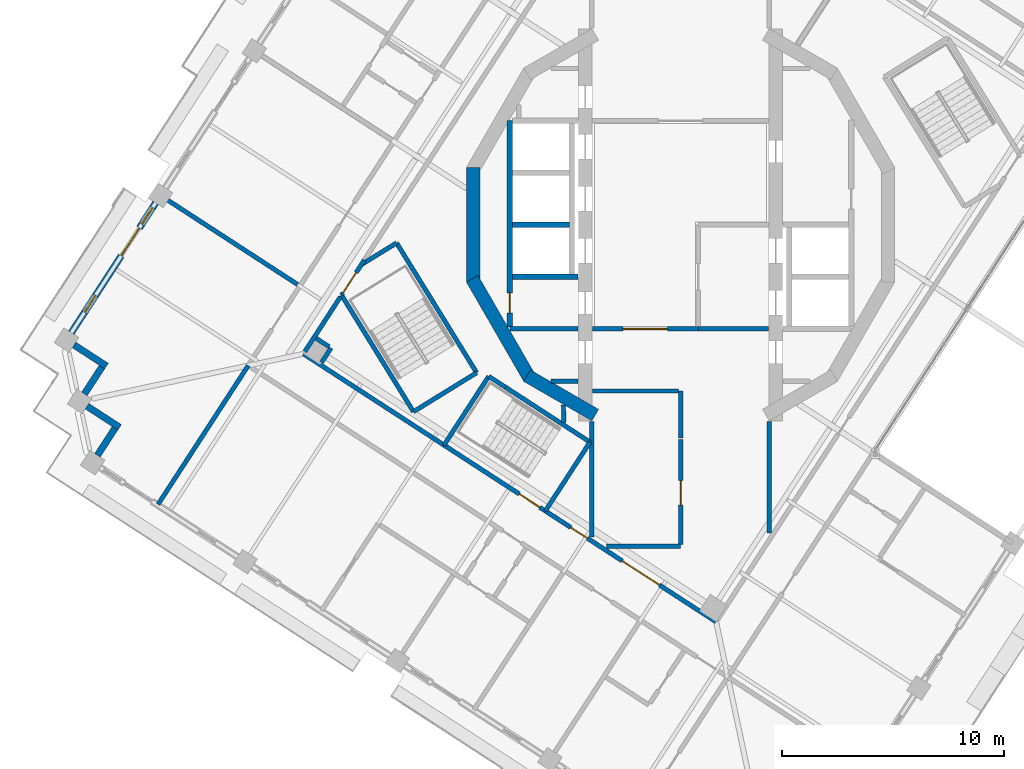
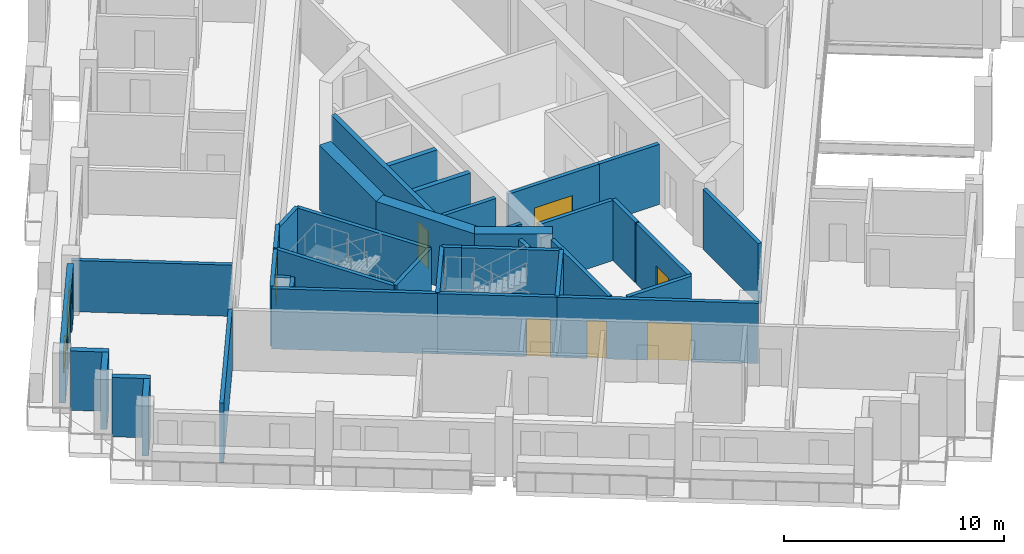
# One storey, part 6 of 17: 39 walls, 8 doors, 2 windows, 10 openings.
"""IFC4 building model written with IfcOpenShell, lengths in metres."""

from ifc_helpers import new_model, si_unit, direction, frame, frame_2d, origin, place, context, subcontext, project, spatial, rectangle, extrude, material, layer, layer_set, type_object, element, fill, save


model = new_model("IFC4")

# Units and contexts
model_context = context("Model", 3, precision=1e-05, world=origin(), true_north=direction((0.0, 1.0)))
body_context = subcontext(model_context, "Body", "Model", "MODEL_VIEW")
ifc_project = project(units=[si_unit("LENGTHUNIT", "METRE"), si_unit("AREAUNIT", "SQUARE_METRE"), si_unit("VOLUMEUNIT", "CUBIC_METRE"), si_unit("PLANEANGLEUNIT", "RADIAN"), si_unit("MASSUNIT", "GRAM", prefix="KILO")], contexts=[model_context])

# Site, building, storey
site_placement = place(None, origin())
site = spatial("IfcSite", under=ifc_project, at=site_placement, CompositionType="ELEMENT")
building_placement = place(site_placement, origin())
building = spatial("IfcBuilding", under=site, at=building_placement, Name="Cantera Rosa Tower", CompositionType="ELEMENT")
storey_placement = place(building_placement, frame((0.0, 0.0, 264.89990234375)))
storey = spatial("IfcBuildingStorey", under=building, at=storey_placement, Name="L59", CompositionType="ELEMENT", Elevation=264.89990234375)

# Walls
ifc_material_1 = material(Name="Gypsum board partition")
ifc_layer_1 = layer(ifc_material_1, 0.199951171875)
ifc_layer_set_1 = layer_set([ifc_layer_1], Name="CORRIDOR WALL 200 H3350")
wall_type_1 = type_object("IfcWallType", Name="CORRIDOR WALL 200 H3350", PredefinedType="PARTITIONING", material=ifc_layer_set_1)
wall_1_placement = place(storey_placement, frame((-17.015869140625, -5.82177734375, 0.0), z_axis=(0.0, 0.0, 1.0), x_axis=(0.838672854678, -0.544635513739, 0.0)))
element("IfcWall", 1, at=wall_1_placement, inside=storey, type_object=wall_type_1, Name="CORRIDOR WALL L59-005", PredefinedType="PARTITIONING", context=body_context, shape_type="SweptSolid", body=[
    extrude(rectangle(XDim=7.56494140625, YDim=0.199951171875, at=frame_2d((3.782470703125, 0.0))), origin(), (0.0, 0.0, 1.0), 3.35009765625),
])
wall_2_placement = place(storey_placement, frame((-15.349853515625, -3.256103515625, 0.0), z_axis=(0.0, 0.0, 1.0), x_axis=(-0.544576607641, -0.838711105453, 0.0)))
element("IfcWall", 2, at=wall_2_placement, inside=storey, type_object=wall_type_1, Name="CORRIDOR WALL L59-009", PredefinedType="PARTITIONING", context=body_context, shape_type="SweptSolid", body=[
    extrude(rectangle(XDim=2.939208984375, YDim=0.199951171875, at=frame_2d((1.4697265625, 0.0))), origin(), (0.0, 0.0, 1.0), 3.35009765625),
])

# Wall, openings, doors
wall_3_placement = place(storey_placement, frame((-6.1005859375, -12.91015625, 0.0), z_axis=(0.0, 0.0, 1.0), x_axis=(0.838671883824, -0.544637008734, 0.0)))
wall_3 = element("IfcWall", 3, at=wall_3_placement, inside=storey, type_object=wall_type_1, Name="CORRIDOR WALL L59-038", PredefinedType="PARTITIONING", context=body_context, shape_type="SweptSolid", body=[
    extrude(rectangle(XDim=9.184814453125, YDim=0.199951171875, at=frame_2d((4.59228515625, 0.0))), origin(), (0.0, 0.0, 1.0), 3.35009765625),
])
opening_1_placement = place(wall_3_placement, frame((1.36572265625, 0.0, 0.0)))
opening_1 = element("IfcOpeningElement", 4, at=opening_1_placement, cuts=wall_3, Name="Opening L59-006", PredefinedType="OPENING", context=body_context, shape_type="SweptSolid", body=[
    extrude(rectangle(XDim=0.89990234375, YDim=2.10009765625, at=frame_2d((0.449951171875, 1.050048828125))), frame((0.0, 0.10986328125, 0.0), z_axis=(0.0, -1.0, 0.0), x_axis=(1.0, 0.0, 0.0)), (0.0, 0.0, 1.0), 0.219970703125),
])
opening_2_placement = place(wall_3_placement, frame((4.135009765625, 0.0, 0.0)))
opening_2 = element("IfcOpeningElement", 5, at=opening_2_placement, cuts=wall_3, Name="Opening L59-010", PredefinedType="OPENING", context=body_context, shape_type="SweptSolid", body=[
    extrude(rectangle(XDim=2.0, YDim=2.10009765625, at=frame_2d((1.0, 1.050048828125))), frame((0.0, 0.10986328125, 0.0), z_axis=(0.0, -1.0, 0.0), x_axis=(1.0, 0.0, 0.0)), (0.0, 0.0, 1.0), 0.219970703125),
])
ifc_material_2 = material(Name="Steel S355J2 (EN 10025-2)", Category="steel")
door_type_1 = type_object("IfcDoorType", Name="LOBBY SCREEN DOOR 2000x2100", OperationType="NOTDEFINED", PredefinedType="DOOR", material=ifc_material_2)
door_1_placement = place(opening_2_placement, origin())
door_1 = element("IfcDoor", 6, at=door_1_placement, inside=storey, type_object=door_type_1, Name="DOOR L59-010", OperationType="NOTDEFINED", OverallHeight=2.10009765625, OverallWidth=2.0, PredefinedType="DOOR", context=body_context, shape_type="SweptSolid", body=[
    extrude(rectangle(XDim=2.0, YDim=2.10009765625, at=frame_2d((1.0, 1.050048828125))), frame((0.0, 0.02490234375, 0.0), z_axis=(0.0, -1.0, 0.0), x_axis=(1.0, 0.0, 0.0)), (0.0, 0.0, 1.0), 0.050048828125),
])
fill(opening_2, door_1)
ifc_material_3 = material(Name="Timber door leaf", Category="wood")
door_type_2 = type_object("IfcDoorType", Name="SERVICE DOOR 900x2100", OperationType="NOTDEFINED", PredefinedType="DOOR", material=ifc_material_3)
door_2_placement = place(opening_1_placement, origin())
door_2 = element("IfcDoor", 7, at=door_2_placement, inside=storey, type_object=door_type_2, Name="DOOR L59-006", OperationType="NOTDEFINED", OverallHeight=2.10009765625, OverallWidth=0.89990234375, PredefinedType="DOOR", context=body_context, shape_type="SweptSolid", body=[
    extrude(rectangle(XDim=0.89990234375, YDim=2.10009765625, at=frame_2d((0.449951171875, 1.050048828125))), frame((0.0, 0.02490234375, 0.0), z_axis=(0.0, -1.0, 0.0), x_axis=(1.0, 0.0, 0.0)), (0.0, 0.0, 1.0), 0.050048828125),
])
fill(opening_1, door_2)

# Wall
wall_4_placement = place(storey_placement, frame((-3.33251953125, -14.5, 0.0), z_axis=(0.0, 0.0, 1.0), x_axis=(1.0, 0.0, 0.0)))
element("IfcWall", 8, at=wall_4_placement, inside=storey, type_object=wall_type_1, Name="CORRIDOR WALL L59-049", PredefinedType="PARTITIONING", context=body_context, shape_type="SweptSolid", body=[
    extrude(rectangle(XDim=3.33251953125, YDim=0.199951171875, at=frame_2d((1.666259765625, 0.0))), origin(), (0.0, 0.0, 1.0), 3.35009765625),
])

# Wall, opening, door
wall_5_placement = place(storey_placement, frame((0.0, -14.419921875, 0.0), z_axis=(0.0, 0.0, 1.0), x_axis=(0.0, 1.0, 0.0)))
wall_5 = element("IfcWall", 9, at=wall_5_placement, inside=storey, type_object=wall_type_1, Name="CORRIDOR WALL L59-057", PredefinedType="PARTITIONING", context=body_context, shape_type="SweptSolid", body=[
    extrude(rectangle(XDim=4.730712890625, YDim=0.199951171875, at=frame_2d((2.365234375, 0.0))), origin(), (0.0, 0.0, 1.0), 3.35009765625),
])
opening_3_placement = place(wall_5_placement, frame((1.775390625, 0.0, 0.0)))
opening_3 = element("IfcOpeningElement", 10, at=opening_3_placement, cuts=wall_5, Name="Opening L59-013", PredefinedType="OPENING", context=body_context, shape_type="SweptSolid", body=[
    extrude(rectangle(XDim=1.10009765625, YDim=2.10009765625, at=frame_2d((0.550048828125, 1.050048828125))), frame((0.0, 0.10986328125, 0.0), z_axis=(0.0, -1.0, 0.0), x_axis=(1.0, 0.0, 0.0)), (0.0, 0.0, 1.0), 0.219970703125),
])
ifc_material_4 = material(Name="Timber door leaf", Category="wood")
door_type_3 = type_object("IfcDoorType", Name="ROOM DOOR 1100x2100", OperationType="NOTDEFINED", PredefinedType="DOOR", material=ifc_material_4)
door_3_placement = place(opening_3_placement, origin())
door_3 = element("IfcDoor", 11, at=door_3_placement, inside=storey, type_object=door_type_3, Name="DOOR L59-013", OperationType="NOTDEFINED", OverallHeight=2.10009765625, OverallWidth=1.10009765625, PredefinedType="DOOR", context=body_context, shape_type="SweptSolid", body=[
    extrude(rectangle(XDim=1.10009765625, YDim=2.10009765625, at=frame_2d((0.550048828125, 1.050048828125))), frame((0.0, 0.02490234375, 0.0), z_axis=(0.0, -1.0, 0.0), x_axis=(1.0, 0.0, 0.0)), (0.0, 0.0, 1.0), 0.050048828125),
])
fill(opening_3, door_3)

# Walls
wall_6_placement = place(storey_placement, frame((0.0, -9.62939453125, 0.0), z_axis=(0.0, 0.0, 1.0), x_axis=(0.0, 1.0, 0.0)))
element("IfcWall", 12, at=wall_6_placement, inside=storey, type_object=wall_type_1, Name="CORRIDOR WALL L59-058", PredefinedType="PARTITIONING", context=body_context, shape_type="SweptSolid", body=[
    extrude(rectangle(XDim=2.12939453125, YDim=0.199951171875, at=frame_2d((1.064697265625, 0.0))), origin(), (0.0, 0.0, 1.0), 3.35009765625),
])
wall_7_placement = place(storey_placement, frame((-0.10009765625, -7.5, 0.0), z_axis=(0.0, 0.0, 1.0), x_axis=(-1.0, 0.0, 0.0)))
element("IfcWall", 13, at=wall_7_placement, inside=storey, type_object=wall_type_1, Name="CORRIDOR WALL L59-059", PredefinedType="PARTITIONING", context=body_context, shape_type="SweptSolid", body=[
    extrude(rectangle(XDim=3.869873046875, YDim=0.199951171875, at=frame_2d((1.93505859375, 0.0))), origin(), (0.0, 0.0, 1.0), 3.35009765625),
])

# Wall, opening, door
wall_8_placement = place(storey_placement, frame((0.800048828125, -4.699951171875, 0.0), z_axis=(0.0, 0.0, 1.0), x_axis=(-1.0, 0.0, 0.0)))
wall_8 = element("IfcWall", 14, at=wall_8_placement, inside=storey, type_object=wall_type_1, Name="CORRIDOR WALL L59-061", PredefinedType="PARTITIONING", context=body_context, shape_type="SweptSolid", body=[
    extrude(rectangle(XDim=4.77001953125, YDim=0.199951171875, at=frame_2d((2.385009765625, 0.0))), origin(), (0.0, 0.0, 1.0), 3.35009765625),
])
opening_4_placement = place(wall_8_placement, frame((1.39990234375, 0.0, 0.0)))
opening_4 = element("IfcOpeningElement", 15, at=opening_4_placement, cuts=wall_8, Name="Opening L59-011", PredefinedType="OPENING", context=body_context, shape_type="SweptSolid", body=[
    extrude(rectangle(XDim=2.0, YDim=2.10009765625, at=frame_2d((1.0, 1.050048828125))), frame((0.0, 0.10986328125, 0.0), z_axis=(0.0, -1.0, 0.0), x_axis=(1.0, 0.0, 0.0)), (0.0, 0.0, 1.0), 0.219970703125),
])
door_4_placement = place(opening_4_placement, origin())
door_4 = element("IfcDoor", 16, at=door_4_placement, inside=storey, type_object=door_type_1, Name="DOOR L59-011", OperationType="NOTDEFINED", OverallHeight=2.10009765625, OverallWidth=2.0, PredefinedType="DOOR", context=body_context, shape_type="SweptSolid", body=[
    extrude(rectangle(XDim=2.0, YDim=2.10009765625, at=frame_2d((1.0, 1.050048828125))), frame((0.0, 0.02490234375, 0.0), z_axis=(0.0, -1.0, 0.0), x_axis=(1.0, 0.0, 0.0)), (0.0, 0.0, 1.0), 0.050048828125),
])
fill(opening_4, door_4)

# Walls
wall_9_placement = place(storey_placement, frame((4.0, -13.90087890625, 0.0), z_axis=(0.0, 0.0, 1.0), x_axis=(0.0, 1.0, 0.0)))
element("IfcWall", 17, at=wall_9_placement, inside=storey, type_object=wall_type_1, Name="CORRIDOR WALL L59-069", PredefinedType="PARTITIONING", context=body_context, shape_type="SweptSolid", body=[
    extrude(rectangle(XDim=5.02197265625, YDim=0.199951171875, at=frame_2d((2.510986328125, 0.0))), origin(), (0.0, 0.0, 1.0), 3.35009765625),
])
ifc_material_5 = material(Name="Hollow clay masonry with cantera stone cladding", Category="masonry")
ifc_layer_2 = layer(ifc_material_5, 0.300048828125)
ifc_layer_set_2 = layer_set([ifc_layer_2], Name="EW-LOGGIA 300")
wall_type_2 = type_object("IfcWallType", Name="EW-LOGGIA 300", PredefinedType="SOLIDWALL", material=ifc_layer_set_2)
wall_10_placement = place(storey_placement, frame((-27.36669921875, -5.41943359375, 0.0), z_axis=(0.0, 0.0, 1.0), x_axis=(0.838685761837, -0.54461563776, 0.0)))
element("IfcWall", 18, at=wall_10_placement, inside=storey, type_object=wall_type_2, Name="EN-L59-W12a", PredefinedType="SOLIDWALL", context=body_context, shape_type="SweptSolid", body=[
    extrude(rectangle(XDim=1.75, YDim=0.300048828125, at=frame_2d((0.875, 0.0))), origin(), (0.0, 0.0, 1.0), 3.300048828125),
])
wall_11_placement = place(storey_placement, frame((-26.1064453125, -6.41650390625, 0.0), z_axis=(0.0, 0.0, 1.0), x_axis=(-0.54467465438, -0.838647435384, 0.0)))
element("IfcWall", 19, at=wall_11_placement, inside=storey, type_object=wall_type_2, Name="EN-L59-W12b", PredefinedType="SOLIDWALL", context=body_context, shape_type="SweptSolid", body=[
    extrude(rectangle(XDim=1.449951171875, YDim=0.300048828125, at=frame_2d((0.72509765625, 0.0))), origin(), (0.0, 0.0, 1.0), 3.300048828125),
])
wall_12_placement = place(storey_placement, frame((-26.778564453125, -8.18603515625, 0.0), z_axis=(0.0, 0.0, 1.0), x_axis=(0.838685761837, -0.54461563776, 0.0)))
element("IfcWall", 20, at=wall_12_placement, inside=storey, type_object=wall_type_2, Name="EN-L59-W13a", PredefinedType="SOLIDWALL", context=body_context, shape_type="SweptSolid", body=[
    extrude(rectangle(XDim=1.75, YDim=0.300048828125, at=frame_2d((0.875, 0.0))), origin(), (0.0, 0.0, 1.0), 3.300048828125),
])
wall_13_placement = place(storey_placement, frame((-25.518310546875, -9.18310546875, 0.0), z_axis=(0.0, 0.0, 1.0), x_axis=(-0.54467465438, -0.838647435384, 0.0)))
element("IfcWall", 21, at=wall_13_placement, inside=storey, type_object=wall_type_2, Name="EN-L59-W13b", PredefinedType="SOLIDWALL", context=body_context, shape_type="SweptSolid", body=[
    extrude(rectangle(XDim=1.449951171875, YDim=0.300048828125, at=frame_2d((0.72509765625, 0.0))), origin(), (0.0, 0.0, 1.0), 3.300048828125),
])

# Wall, openings, windows, door
ifc_material_6 = material(Name="Hollow clay masonry with cantera stone cladding", Category="masonry")
ifc_layer_3 = layer(ifc_material_6, 0.300048828125)
ifc_layer_set_3 = layer_set([ifc_layer_3], Name="EW-LOGGIA 300 H2890")
wall_type_3 = type_object("IfcWallType", Name="EW-LOGGIA 300 H2890", PredefinedType="SOLIDWALL", material=ifc_layer_set_3)
wall_14_placement = place(storey_placement, frame((-23.6826171875, 0.98779296875, 0.0), z_axis=(0.0, 0.0, 1.0), x_axis=(-0.544667428764, -0.838652128146, 0.0)))
wall_14 = element("IfcWall", 22, at=wall_14_placement, inside=storey, type_object=wall_type_3, Name="EN-L59-W11", PredefinedType="SOLIDWALL", context=body_context, shape_type="SweptSolid", body=[
    extrude(rectangle(XDim=6.97998046875, YDim=0.300048828125, at=frame_2d((3.489990234375, 0.0))), origin(), (0.0, 0.0, 1.0), 2.89013671875),
])
opening_5_placement = place(wall_14_placement, frame((0.2451171875, 0.0, 0.89990234375)))
opening_5 = element("IfcOpeningElement", 23, at=opening_5_placement, cuts=wall_14, Name="Opening L59-W25", PredefinedType="OPENING", context=body_context, shape_type="SweptSolid", body=[
    extrude(rectangle(XDim=0.89990234375, YDim=1.5, at=frame_2d((0.449951171875, 0.75))), frame((0.0, 0.159912109375, 0.0), z_axis=(0.0, -1.0, 0.0), x_axis=(1.0, 0.0, 0.0)), (0.0, 0.0, 1.0), 0.320068359375),
])
opening_6_placement = place(wall_14_placement, frame((1.344970703125, 0.0, 0.0)))
opening_6 = element("IfcOpeningElement", 24, at=opening_6_placement, cuts=wall_14, Name="Opening L59-TD26", PredefinedType="OPENING", context=body_context, shape_type="SweptSolid", body=[
    extrude(rectangle(XDim=1.5, YDim=2.39990234375, at=frame_2d((0.75, 1.199951171875))), frame((0.0, 0.159912109375, 0.0), z_axis=(0.0, -1.0, 0.0), x_axis=(1.0, 0.0, 0.0)), (0.0, 0.0, 1.0), 0.320068359375),
])
opening_7_placement = place(wall_14_placement, frame((4.985107421875, 0.0, 0.89990234375)))
opening_7 = element("IfcOpeningElement", 25, at=opening_7_placement, cuts=wall_14, Name="Opening L59-W27", PredefinedType="OPENING", context=body_context, shape_type="SweptSolid", body=[
    extrude(rectangle(XDim=0.89990234375, YDim=1.5, at=frame_2d((0.449951171875, 0.75))), frame((0.0, 0.159912109375, 0.0), z_axis=(0.0, -1.0, 0.0), x_axis=(1.0, 0.0, 0.0)), (0.0, 0.0, 1.0), 0.320068359375),
])
ifc_material_7 = material(Name="Aluminium frame with clear glass", Category="aluminium")
window_type = type_object("IfcWindowType", Name="Residential window 900x1500", PartitioningType="SINGLE_PANEL", PredefinedType="WINDOW", material=ifc_material_7)
window_1_placement = place(opening_5_placement, origin())
window_1 = element("IfcWindow", 26, at=window_1_placement, inside=storey, type_object=window_type, Name="WINDOW L59-W25", OverallHeight=1.5, OverallWidth=0.89990234375, PartitioningType="SINGLE_PANEL", PredefinedType="WINDOW", context=body_context, shape_type="SweptSolid", body=[
    extrude(rectangle(XDim=0.89990234375, YDim=1.5, at=frame_2d((0.449951171875, 0.75))), frame((0.0, 0.030029296875, 0.0), z_axis=(0.0, -1.0, 0.0), x_axis=(1.0, 0.0, 0.0)), (0.0, 0.0, 1.0), 0.06005859375),
])
fill(opening_5, window_1)
window_2_placement = place(opening_7_placement, origin())
window_2 = element("IfcWindow", 27, at=window_2_placement, inside=storey, type_object=window_type, Name="WINDOW L59-W27", OverallHeight=1.5, OverallWidth=0.89990234375, PartitioningType="SINGLE_PANEL", PredefinedType="WINDOW", context=body_context, shape_type="SweptSolid", body=[
    extrude(rectangle(XDim=0.89990234375, YDim=1.5, at=frame_2d((0.449951171875, 0.75))), frame((0.0, 0.030029296875, 0.0), z_axis=(0.0, -1.0, 0.0), x_axis=(1.0, 0.0, 0.0)), (0.0, 0.0, 1.0), 0.06005859375),
])
fill(opening_7, window_2)
ifc_material_8 = material(Name="Aluminium frame with clear glass", Category="aluminium")
door_type_4 = type_object("IfcDoorType", Name="TD-R 1500x2400", OperationType="NOTDEFINED", PredefinedType="DOOR", material=ifc_material_8)
door_5_placement = place(opening_6_placement, origin())
door_5 = element("IfcDoor", 28, at=door_5_placement, inside=storey, type_object=door_type_4, Name="LOGGIA DOOR L59-TD26", OperationType="SLIDING_TO_LEFT", OverallHeight=2.39990234375, OverallWidth=1.5, PredefinedType="DOOR", context=body_context, shape_type="SweptSolid", body=[
    extrude(rectangle(XDim=1.5, YDim=2.39990234375, at=frame_2d((0.75, 1.199951171875))), frame((0.0, 0.02490234375, 0.0), z_axis=(0.0, -1.0, 0.0), x_axis=(1.0, 0.0, 0.0)), (0.0, 0.0, 1.0), 0.050048828125),
])
fill(opening_6, door_5)

# Walls
ifc_material_9 = material(Name="Gypsum board partition")
ifc_layer_4 = layer(ifc_material_9, 0.199951171875)
ifc_layer_set_4 = layer_set([ifc_layer_4], Name="PARTITION 200 H2850")
wall_type_4 = type_object("IfcWallType", Name="PARTITION 200 H2850", PredefinedType="PARTITIONING", material=ifc_layer_set_4)
wall_15_placement = place(storey_placement, frame((-17.275390625, -2.696044921875, 0.0), z_axis=(0.0, 0.0, 1.0), x_axis=(-0.838684106336, 0.544618187155, 0.0)))
element("IfcWall", 29, at=wall_15_placement, inside=storey, type_object=wall_type_4, Name="PARTITION L59-003", PredefinedType="PARTITIONING", context=body_context, shape_type="SweptSolid", body=[
    extrude(rectangle(XDim=7.349853515625, YDim=0.199951171875, at=frame_2d((3.6748046875, 0.0))), origin(), (0.0, 0.0, 1.0), 2.85009765625),
])
ifc_material_10 = material(Name="Gypsum board partition")
ifc_layer_5 = layer(ifc_material_10, 0.199951171875)
ifc_layer_set_5 = layer_set([ifc_layer_5], Name="PARTITION 200 H3350")
wall_type_5 = type_object("IfcWallType", Name="PARTITION 200 H3350", PredefinedType="PARTITIONING", material=ifc_layer_set_5)
wall_16_placement = place(storey_placement, frame((-16.19580078125, -6.211181640625, 0.0), z_axis=(0.0, 0.0, 1.0), x_axis=(0.544691230082, 0.838636669764, 0.0)))
element("IfcWall", 30, at=wall_16_placement, inside=storey, type_object=wall_type_5, Name="PARTITION L59-006", PredefinedType="PARTITIONING", context=body_context, shape_type="SweptSolid", body=[
    extrude(rectangle(XDim=0.77978515625, YDim=0.199951171875, at=frame_2d((0.389892578125, 0.0))), origin(), (0.0, 0.0, 1.0), 3.35009765625),
])
wall_17_placement = place(storey_placement, frame((-15.854736328125, -5.502685546875, 0.0), z_axis=(0.0, 0.0, 1.0), x_axis=(-0.838642734471, 0.544681892409, 0.0)))
element("IfcWall", 31, at=wall_17_placement, inside=storey, type_object=wall_type_5, Name="PARTITION L59-008", PredefinedType="PARTITIONING", context=body_context, shape_type="SweptSolid", body=[
    extrude(rectangle(XDim=0.7001953125, YDim=0.199951171875, at=frame_2d((0.35009765625, 0.0))), origin(), (0.0, 0.0, 1.0), 3.35009765625),
])
wall_18_placement = place(storey_placement, frame((-7.699951171875, -4.699951171875, 0.0), z_axis=(0.0, 0.0, 1.0), x_axis=(1.0, 0.0, 0.0)))
element("IfcWall", 32, at=wall_18_placement, inside=storey, type_object=wall_type_5, Name="PARTITION L59-030", PredefinedType="PARTITIONING", context=body_context, shape_type="SweptSolid", body=[
    extrude(rectangle(XDim=3.070068359375, YDim=0.199951171875, at=frame_2d((1.53515625, 0.0))), origin(), (0.0, 0.0, 1.0), 3.35009765625),
])
wall_19_placement = place(storey_placement, frame((-5.284423828125, -8.13720703125, 0.0), z_axis=(0.0, 0.0, 1.0), x_axis=(0.017568671761, -0.999845658976, 0.0)))
element("IfcWall", 33, at=wall_19_placement, inside=storey, type_object=wall_type_5, Name="PARTITION L59-041", PredefinedType="PARTITIONING", context=body_context, shape_type="SweptSolid", body=[
    extrude(rectangle(XDim=0.778076171875, YDim=0.199951171875, at=frame_2d((0.38916015625, 0.0))), origin(), (0.0, 0.0, 1.0), 3.35009765625),
])
wall_20_placement = place(storey_placement, frame((-4.6298828125, -7.050048828125, 0.0), z_axis=(0.0, 0.0, 1.0), x_axis=(-1.0, 0.0, 0.0)))
element("IfcWall", 34, at=wall_20_placement, inside=storey, type_object=wall_type_5, Name="PARTITION L59-044", PredefinedType="PARTITIONING", context=body_context, shape_type="SweptSolid", body=[
    extrude(rectangle(XDim=1.2177734375, YDim=0.199951171875, at=frame_2d((0.60888671875, 0.0))), origin(), (0.0, 0.0, 1.0), 3.35009765625),
])
wall_21_placement = place(storey_placement, frame((-4.0, -14.09423828125, 0.0), z_axis=(0.0, 0.0, 1.0), x_axis=(0.0, 1.0, 0.0)))
element("IfcWall", 35, at=wall_21_placement, inside=storey, type_object=wall_type_5, Name="PARTITION L59-046", PredefinedType="PARTITIONING", context=body_context, shape_type="SweptSolid", body=[
    extrude(rectangle(XDim=5.21533203125, YDim=0.199951171875, at=frame_2d((2.607666015625, 0.0))), origin(), (0.0, 0.0, 1.0), 3.35009765625),
])
ifc_material_11 = material(Name="Gypsum board partition")
ifc_layer_6 = layer(ifc_material_11, 0.199951171875)
ifc_layer_set_6 = layer_set([ifc_layer_6], Name="PARTY WALL 200 H3350")
wall_type_6 = type_object("IfcWallType", Name="PARTY WALL 200 H3350", PredefinedType="PARTITIONING", material=ifc_layer_set_6)
wall_22_placement = place(storey_placement, frame((-19.505859375, -6.35107421875, 0.0), z_axis=(0.0, 0.0, 1.0), x_axis=(-0.544643659397, -0.838667564818, 0.0)))
element("IfcWall", 36, at=wall_22_placement, inside=storey, type_object=wall_type_6, Name="PARTY WALL L59-001", PredefinedType="PARTITIONING", context=body_context, shape_type="SweptSolid", body=[
    extrude(rectangle(XDim=7.4697265625, YDim=0.199951171875, at=frame_2d((3.73486328125, 0.0))), origin(), (0.0, 0.0, 1.0), 3.35009765625),
])
ifc_material_12 = material(Name="Concrete C50/60", Category="concrete")
ifc_layer_7 = layer(ifc_material_12, 0.60009765625)
ifc_layer_set_7 = layer_set([ifc_layer_7], Name="RC CORE WALL 600 C50/60")
wall_type_7 = type_object("IfcWallType", Name="RC CORE WALL 600 C50/60", PredefinedType="SHEAR", material=ifc_layer_set_7)
wall_23_placement = place(storey_placement, frame((-3.85009765625, -8.584228515625, 0.0), z_axis=(0.0, 0.0, 1.0), x_axis=(-0.866039982607, 0.499974747889, 0.0)))
element("IfcWall", 37, at=wall_23_placement, inside=storey, type_object=wall_type_7, Name="CW-W1 L59", PredefinedType="SHEAR", context=body_context, shape_type="SweptSolid", body=[
    extrude(rectangle(XDim=3.546142578125, YDim=0.60009765625, at=frame_2d((1.77294921875, 0.0))), origin(), (0.0, 0.0, 1.0), 3.60009765625),
])
for number, where, z_axis, x_axis, name in (
    (38, (-6.811279296875, -6.921142578125, 0.0), (0.0, 0.0, 1.0), (-0.499989188378, 0.866031645787, 0.0), "CW-W2 L59"),
    (39, (-9.359375, -2.588134765625, 0.0), (0.0, 0.0, 1.0), (0.0, 1.0, 0.0), "CW-W3 L59"),
):
    element("IfcWall", number, at=place(storey_placement, frame(where, z_axis=z_axis, x_axis=x_axis)), inside=storey, type_object=wall_type_7, Name=name, PredefinedType="SHEAR", context=body_context, shape_type="SweptSolid", body=[
        extrude(rectangle(XDim=5.17626953125, YDim=0.60009765625, at=frame_2d((2.588134765625, 0.0))), origin(), (0.0, 0.0, 1.0), 3.60009765625),
    ])
ifc_material_13 = material(Name="Masonry blockwork", Category="masonry")
ifc_layer_8 = layer(ifc_material_13, 0.25)
ifc_layer_set_8 = layer_set([ifc_layer_8], Name="SHAFT WALL 250 H3350")
wall_type_8 = type_object("IfcWallType", Name="SHAFT WALL 250 H3350", PredefinedType="SOLIDWALL", material=ifc_layer_set_8)
wall_24_placement = place(storey_placement, frame((-7.574951171875, 0.0, 0.0), z_axis=(0.0, 0.0, 1.0), x_axis=(1.0, 0.0, 0.0)))
element("IfcWall", 40, at=wall_24_placement, inside=storey, type_object=wall_type_8, Name="SHAFT WALL L59-031", PredefinedType="SOLIDWALL", context=body_context, shape_type="SweptSolid", body=[
    extrude(rectangle(XDim=2.554931640625, YDim=0.25, at=frame_2d((1.27734375, 0.0))), origin(), (0.0, 0.0, 1.0), 3.35009765625),
])

# Wall, opening, door
wall_25_placement = place(storey_placement, frame((-7.699951171875, 4.699951171875, 0.0), z_axis=(0.0, 0.0, 1.0), x_axis=(0.0, -1.0, 0.0)))
wall_25 = element("IfcWall", 41, at=wall_25_placement, inside=storey, type_object=wall_type_8, Name="SHAFT WALL L59-033", PredefinedType="SOLIDWALL", context=body_context, shape_type="SweptSolid", body=[
    extrude(rectangle(XDim=9.320068359375, YDim=0.25, at=frame_2d((4.66015625, 0.0))), origin(), (0.0, 0.0, 1.0), 3.35009765625),
])
opening_8_placement = place(wall_25_placement, frame((7.7705078125, 0.0, 0.0)))
opening_8 = element("IfcOpeningElement", 42, at=opening_8_placement, cuts=wall_25, Name="Opening L59-049", PredefinedType="OPENING", context=body_context, shape_type="SweptSolid", body=[
    extrude(rectangle(XDim=0.89990234375, YDim=2.10009765625, at=frame_2d((0.449951171875, 1.050048828125))), frame((0.0, 0.135009765625, 0.0), z_axis=(0.0, -1.0, 0.0), x_axis=(1.0, 0.0, 0.0)), (0.0, 0.0, 1.0), 0.27001953125),
])
door_6_placement = place(opening_8_placement, origin())
door_6 = element("IfcDoor", 43, at=door_6_placement, inside=storey, type_object=door_type_2, Name="RISER DOOR L59-049", OperationType="NOTDEFINED", OverallHeight=2.10009765625, OverallWidth=0.89990234375, PredefinedType="DOOR", context=body_context, shape_type="SweptSolid", body=[
    extrude(rectangle(XDim=0.89990234375, YDim=2.10009765625, at=frame_2d((0.449951171875, 1.050048828125))), frame((0.0, 0.02490234375, 0.0), z_axis=(0.0, -1.0, 0.0), x_axis=(1.0, 0.0, 0.0)), (0.0, 0.0, 1.0), 0.050048828125),
])
fill(opening_8, door_6)

# Walls
wall_26_placement = place(storey_placement, frame((-4.6298828125, -2.35009765625, 0.0), z_axis=(0.0, 0.0, 1.0), x_axis=(-1.0, 0.0, 0.0)))
element("IfcWall", 44, at=wall_26_placement, inside=storey, type_object=wall_type_8, Name="SHAFT WALL L59-045", PredefinedType="SOLIDWALL", context=body_context, shape_type="SweptSolid", body=[
    extrude(rectangle(XDim=2.945068359375, YDim=0.25, at=frame_2d((1.47265625, 0.0))), origin(), (0.0, 0.0, 1.0), 3.35009765625),
])
ifc_material_14 = material(Name="Concrete C50/60", Category="concrete")
ifc_layer_9 = layer(ifc_material_14, 0.199951171875)
ifc_layer_set_9 = layer_set([ifc_layer_9], Name="STAIR WALL 200 H3350")
wall_type_9 = type_object("IfcWallType", Name="STAIR WALL 200 H3350", PredefinedType="SOLIDWALL", material=ifc_layer_set_9)
wall_27_placement = place(storey_placement, frame((-15.29541015625, -3.17236328125, 0.0), z_axis=(0.0, 0.0, 1.0), x_axis=(0.524983142341, -0.851112624896, 0.0)))
element("IfcWall", 45, at=wall_27_placement, inside=storey, type_object=wall_type_9, Name="STAIR WALL L59-010", PredefinedType="SOLIDWALL", context=body_context, shape_type="SweptSolid", body=[
    extrude(rectangle(XDim=6.180419921875, YDim=0.199951171875, at=frame_2d((3.09033203125, 0.0))), origin(), (0.0, 0.0, 1.0), 3.35009765625),
])

# Wall, opening, door
wall_28_placement = place(storey_placement, frame((-14.268310546875, -1.5908203125, 0.0), z_axis=(0.0, 0.0, 1.0), x_axis=(-0.544651565877, -0.838662430176, 0.0)))
wall_28 = element("IfcWall", 46, at=wall_28_placement, inside=storey, type_object=wall_type_9, Name="STAIR WALL L59-013", PredefinedType="SOLIDWALL", context=body_context, shape_type="SweptSolid", body=[
    extrude(rectangle(XDim=1.8857421875, YDim=0.199951171875, at=frame_2d((0.94287109375, 0.0))), origin(), (0.0, 0.0, 1.0), 3.35009765625),
])
opening_9_placement = place(wall_28_placement, frame((0.6689453125, 0.0, 0.0)))
opening_9 = element("IfcOpeningElement", 47, at=opening_9_placement, cuts=wall_28, Name="Opening L59-002", PredefinedType="OPENING", context=body_context, shape_type="SweptSolid", body=[
    extrude(rectangle(XDim=1.10009765625, YDim=2.10009765625, at=frame_2d((0.550048828125, 1.050048828125))), frame((0.0, 0.10986328125, 0.0), z_axis=(0.0, -1.0, 0.0), x_axis=(1.0, 0.0, 0.0)), (0.0, 0.0, 1.0), 0.219970703125),
])
ifc_material_15 = material(Name="Steel S355J2 (EN 10025-2)", Category="steel")
door_type_5 = type_object("IfcDoorType", Name="STAIR DOOR 1100x2100", OperationType="NOTDEFINED", PredefinedType="DOOR", material=ifc_material_15)
door_7_placement = place(opening_9_placement, origin())
door_7 = element("IfcDoor", 48, at=door_7_placement, inside=storey, type_object=door_type_5, Name="DOOR L59-002", OperationType="NOTDEFINED", OverallHeight=2.10009765625, OverallWidth=1.10009765625, PredefinedType="DOOR", context=body_context, shape_type="SweptSolid", body=[
    extrude(rectangle(XDim=1.10009765625, YDim=2.10009765625, at=frame_2d((0.550048828125, 1.050048828125))), frame((0.0, 0.02490234375, 0.0), z_axis=(0.0, -1.0, 0.0), x_axis=(1.0, 0.0, 0.0)), (0.0, 0.0, 1.0), 0.050048828125),
])
fill(opening_9, door_7)

# Walls
wall_29_placement = place(storey_placement, frame((-12.811279296875, -0.818359375, 0.0), z_axis=(0.0, 0.0, 1.0), x_axis=(-0.851125244186, -0.524962683158, 0.0)))
element("IfcWall", 49, at=wall_29_placement, inside=storey, type_object=wall_type_9, Name="STAIR WALL L59-019", PredefinedType="SOLIDWALL", context=body_context, shape_type="SweptSolid", body=[
    extrude(rectangle(XDim=1.872802734375, YDim=0.199951171875, at=frame_2d((0.9365234375, 0.0))), origin(), (0.0, 0.0, 1.0), 3.35009765625),
])
wall_30_placement = place(storey_placement, frame((-12.05078125, -8.4326171875, 0.0), z_axis=(0.0, 0.0, 1.0), x_axis=(0.85113993661, 0.524938861495, 0.0)))
element("IfcWall", 50, at=wall_30_placement, inside=storey, type_object=wall_type_9, Name="STAIR WALL L59-021", PredefinedType="SOLIDWALL", context=body_context, shape_type="SweptSolid", body=[
    extrude(rectangle(XDim=3.35009765625, YDim=0.199951171875, at=frame_2d((1.675048828125, 0.0))), origin(), (0.0, 0.0, 1.0), 3.35009765625),
])

# Wall, opening, door
wall_31_placement = place(storey_placement, frame((-10.67138671875, -9.94189453125, 0.0), z_axis=(0.0, 0.0, 1.0), x_axis=(0.838674843592, -0.544632451041, 0.0)))
wall_31 = element("IfcWall", 51, at=wall_31_placement, inside=storey, type_object=wall_type_9, Name="STAIR WALL L59-023", PredefinedType="SOLIDWALL", context=body_context, shape_type="SweptSolid", body=[
    extrude(rectangle(XDim=5.449951171875, YDim=0.199951171875, at=frame_2d((2.72509765625, 0.0))), origin(), (0.0, 0.0, 1.0), 3.35009765625),
])
opening_10_placement = place(wall_31_placement, frame((4.050048828125, 0.0, 0.0)))
opening_10 = element("IfcOpeningElement", 52, at=opening_10_placement, cuts=wall_31, Name="Opening L59-003", PredefinedType="OPENING", context=body_context, shape_type="SweptSolid", body=[
    extrude(rectangle(XDim=1.10009765625, YDim=2.10009765625, at=frame_2d((0.550048828125, 1.050048828125))), frame((0.0, 0.10986328125, 0.0), z_axis=(0.0, -1.0, 0.0), x_axis=(1.0, 0.0, 0.0)), (0.0, 0.0, 1.0), 0.219970703125),
])
door_8_placement = place(opening_10_placement, origin())
door_8 = element("IfcDoor", 53, at=door_8_placement, inside=storey, type_object=door_type_5, Name="DOOR L59-003", OperationType="NOTDEFINED", OverallHeight=2.10009765625, OverallWidth=1.10009765625, PredefinedType="DOOR", context=body_context, shape_type="SweptSolid", body=[
    extrude(rectangle(XDim=1.10009765625, YDim=2.10009765625, at=frame_2d((0.550048828125, 1.050048828125))), frame((0.0, 0.02490234375, 0.0), z_axis=(0.0, -1.0, 0.0), x_axis=(1.0, 0.0, 0.0)), (0.0, 0.0, 1.0), 0.050048828125),
])
fill(opening_10, door_8)

# Walls
wall_32_placement = place(storey_placement, frame((-9.199462890625, -6.674072265625, 0.0), z_axis=(0.0, 0.0, 1.0), x_axis=(-0.524972254536, 0.851119340614, 0.0)))
element("IfcWall", 54, at=wall_32_placement, inside=storey, type_object=wall_type_9, Name="STAIR WALL L59-025", PredefinedType="SOLIDWALL", context=body_context, shape_type="SweptSolid", body=[
    extrude(rectangle(XDim=6.880126953125, YDim=0.199951171875, at=frame_2d((3.43994140625, 0.0))), origin(), (0.0, 0.0, 1.0), 3.35009765625),
])
wall_33_placement = place(storey_placement, frame((-8.65478515625, -6.8369140625, 0.0), z_axis=(0.0, 0.0, 1.0), x_axis=(-0.544677727046, -0.838645439778, 0.0)))
element("IfcWall", 55, at=wall_33_placement, inside=storey, type_object=wall_type_9, Name="STAIR WALL L59-027", PredefinedType="SOLIDWALL", context=body_context, shape_type="SweptSolid", body=[
    extrude(rectangle(XDim=3.702392578125, YDim=0.199951171875, at=frame_2d((1.85107421875, 0.0))), origin(), (0.0, 0.0, 1.0), 3.35009765625),
])
wall_34_placement = place(storey_placement, frame((-8.65478515625, -6.8369140625, 0.0), z_axis=(0.0, 0.0, 1.0), x_axis=(0.838666637781, -0.54464508689, 0.0)))
element("IfcWall", 56, at=wall_34_placement, inside=storey, type_object=wall_type_9, Name="STAIR WALL L59-028", PredefinedType="SOLIDWALL", context=body_context, shape_type="SweptSolid", body=[
    extrude(rectangle(XDim=0.900146484375, YDim=0.199951171875, at=frame_2d((0.4501953125, 0.0))), origin(), (0.0, 0.0, 1.0), 3.35009765625),
])
wall_35_placement = place(storey_placement, frame((-6.1005859375, -12.91015625, 0.0), z_axis=(0.0, 0.0, 1.0), x_axis=(0.544677727046, 0.838645439778, 0.0)))
element("IfcWall", 57, at=wall_35_placement, inside=storey, type_object=wall_type_9, Name="STAIR WALL L59-037", PredefinedType="SOLIDWALL", context=body_context, shape_type="SweptSolid", body=[
    extrude(rectangle(XDim=3.702392578125, YDim=0.199951171875, at=frame_2d((1.85107421875, 0.0))), origin(), (0.0, 0.0, 1.0), 3.35009765625),
])
wall_36_placement = place(storey_placement, frame((3.969970703125, -4.699951171875, 0.0), z_axis=(0.0, 0.0, 1.0), x_axis=(-1.0, 0.0, 0.0)))
element("IfcWall", 58, at=wall_36_placement, inside=storey, type_object=wall_type_9, Name="STAIR WALL L59-068", PredefinedType="SOLIDWALL", context=body_context, shape_type="SweptSolid", body=[
    extrude(rectangle(XDim=3.169921875, YDim=0.199951171875, at=frame_2d((1.5849609375, 0.0))), origin(), (0.0, 0.0, 1.0), 3.35009765625),
])
wall_37_placement = place(storey_placement, frame((-7.89990234375, -7.3271484375, 0.0), z_axis=(0.0, 0.0, 1.0), x_axis=(0.8386764669, -0.544629951314, 0.0)))
element("IfcWall", 59, at=wall_37_placement, inside=storey, type_object=wall_type_9, Name="STAIR WALL L59-028 J", PredefinedType="SOLIDWALL", context=body_context, shape_type="SweptSolid", body=[
    extrude(rectangle(XDim=4.550048828125, YDim=0.199951171875, at=frame_2d((2.27490234375, 0.0))), origin(), (0.0, 0.0, 1.0), 3.35009765625),
])

save(model, "model.ifc")
